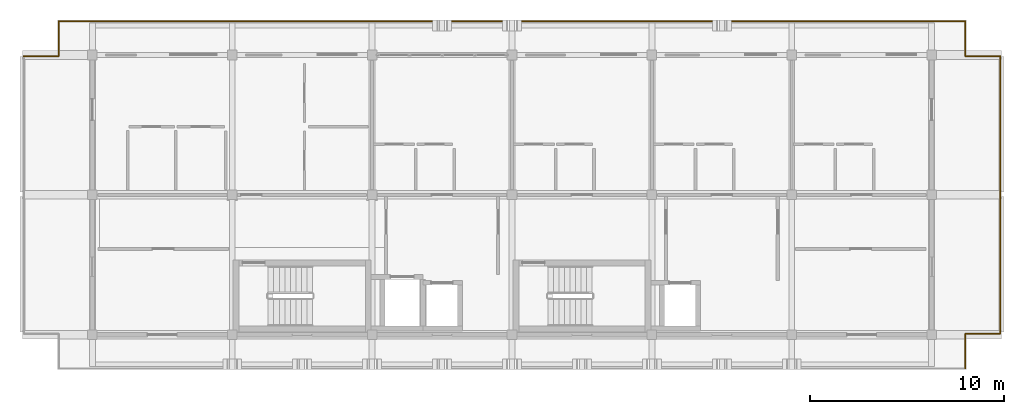
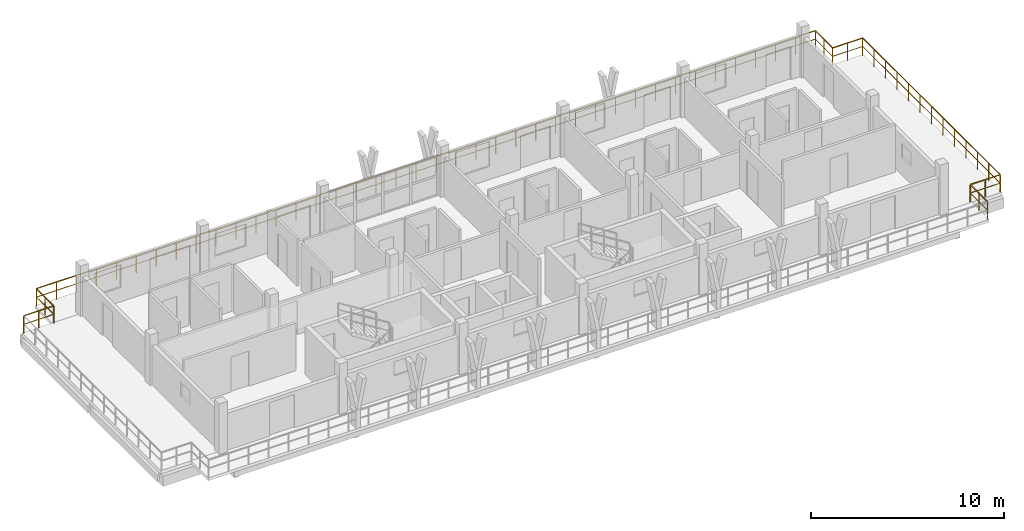
# One storey, part 9 of 9: 8 railings.
"""IFC4 building model written with IfcOpenShell, lengths in metres."""

from ifc_helpers import new_model, si_unit, direction, frame, origin, origin_2d, place, context, subcontext, project, spatial, rectangle, extrude, material, type_object, element, save


model = new_model("IFC4")

# Units and contexts
model_context = context("Model", 3, precision=1e-05, world=origin(), true_north=direction((0.0, 1.0)))
body_context = subcontext(model_context, "Body", "Model", "MODEL_VIEW")
ifc_project = project(units=[si_unit("LENGTHUNIT", "METRE"), si_unit("AREAUNIT", "SQUARE_METRE"), si_unit("VOLUMEUNIT", "CUBIC_METRE"), si_unit("PLANEANGLEUNIT", "RADIAN"), si_unit("MASSUNIT", "GRAM", prefix="KILO")], contexts=[model_context])

# Site, building, storey
site_placement = place(None, origin())
site = spatial("IfcSite", under=ifc_project, at=site_placement, CompositionType="ELEMENT")
building_placement = place(site_placement, origin())
building = spatial("IfcBuilding", under=site, at=building_placement, Name="Suanplinth Sawtooth Commons", CompositionType="ELEMENT")
storey_placement = place(building_placement, frame((0.0, 0.0, 47.699951171875)))
storey = spatial("IfcBuildingStorey", under=building, at=storey_placement, Name="L14", CompositionType="ELEMENT", Elevation=47.699951171875)

# Railings
ifc_material = material(Name="Powder-coated galvanized steel", Category="steel")
railing_type = type_object("IfcRailingType", Name="GR-01", PredefinedType="BALUSTRADE", material=ifc_material)
railing_1_placement = place(storey_placement, frame((32.4599609375, 122.340087890625, 0.0)))
element("IfcRailing", 1, at=railing_1_placement, inside=storey, type_object=railing_type, Name="L14 Block A Perimeter Balustrade 3", PredefinedType="BALUSTRADE", context=body_context, shape_type="SweptSolid", body=[
    extrude(rectangle(XDim=0.048095703125, YDim=0.048095703125, at=origin_2d()), frame((0.0, 0.0, 1.09619140625), z_axis=(1.0, 0.0, 0.0), x_axis=(0.0, 1.0, 0.0)), (0.0, 0.0, 1.0), 1.800048828125),
    extrude(rectangle(XDim=0.03369140625, YDim=0.03369140625, at=origin_2d()), frame((0.0, 0.0, 0.56005859375), z_axis=(1.0, 0.0, 0.0), x_axis=(0.0, 1.0, 0.0)), (0.0, 0.0, 1.0), 1.800048828125),
    extrude(rectangle(XDim=0.0419921875, YDim=0.0419921875, at=origin_2d()), origin(), (0.0, 0.0, 1.0), 1.072021484375),
    extrude(rectangle(XDim=0.0419921875, YDim=0.0419921875, at=origin_2d()), frame((0.89990234375, 0.0, 0.0)), (0.0, 0.0, 1.0), 1.072021484375),
    extrude(rectangle(XDim=0.0419921875, YDim=0.0419921875, at=origin_2d()), frame((1.800048828125, 0.0, 0.0)), (0.0, 0.0, 1.0), 1.072021484375),
])
railing_2_placement = place(storey_placement, frame((34.260009765625, 122.340087890625, 0.0)))
element("IfcRailing", 2, at=railing_2_placement, inside=storey, type_object=railing_type, Name="L14 Block A Perimeter Balustrade 4", PredefinedType="BALUSTRADE", context=body_context, shape_type="SweptSolid", body=[
    extrude(rectangle(XDim=0.048095703125, YDim=0.048095703125, at=origin_2d()), frame((0.0, 0.0, 1.09619140625), z_axis=(0.0, 1.0, 0.0), x_axis=(-1.0, 0.0, 0.0)), (0.0, 0.0, 1.0), 1.7998046875),
    extrude(rectangle(XDim=0.03369140625, YDim=0.03369140625, at=origin_2d()), frame((0.0, 0.0, 0.56005859375), z_axis=(0.0, 1.0, 0.0), x_axis=(-1.0, 0.0, 0.0)), (0.0, 0.0, 1.0), 1.7998046875),
    extrude(rectangle(XDim=0.0419921875, YDim=0.0419921875, at=origin_2d()), origin(), (0.0, 0.0, 1.0), 1.072021484375),
    extrude(rectangle(XDim=0.0419921875, YDim=0.0419921875, at=origin_2d()), frame((0.0, 0.89990234375, 0.0)), (0.0, 0.0, 1.0), 1.072021484375),
    extrude(rectangle(XDim=0.0419921875, YDim=0.0419921875, at=origin_2d()), frame((0.0, 1.7998046875, 0.0)), (0.0, 0.0, 1.0), 1.072021484375),
])
railing_3_placement = place(storey_placement, frame((34.260009765625, 124.139892578125, 0.0)))
element("IfcRailing", 3, at=railing_3_placement, inside=storey, type_object=railing_type, Name="L14 Block A Perimeter Balustrade 5", PredefinedType="BALUSTRADE", context=body_context, shape_type="SweptSolid", body=[
    extrude(rectangle(XDim=0.048095703125, YDim=0.048095703125, at=origin_2d()), frame((0.0, 0.0, 1.09619140625), z_axis=(1.0, 0.0, 0.0), x_axis=(0.0, 1.0, 0.0)), (0.0, 0.0, 1.0), 46.679931640625),
    extrude(rectangle(XDim=0.03369140625, YDim=0.03369140625, at=origin_2d()), frame((0.0, 0.0, 0.56005859375), z_axis=(1.0, 0.0, 0.0), x_axis=(0.0, 1.0, 0.0)), (0.0, 0.0, 1.0), 46.679931640625),
    extrude(rectangle(XDim=0.0419921875, YDim=0.0419921875, at=origin_2d()), origin(), (0.0, 0.0, 1.0), 1.072021484375),
    extrude(rectangle(XDim=0.0419921875, YDim=0.0419921875, at=origin_2d()), frame((1.197021484375, 0.0, 0.0)), (0.0, 0.0, 1.0), 1.072021484375),
    extrude(rectangle(XDim=0.0419921875, YDim=0.0419921875, at=origin_2d()), frame((2.393798828125, 0.0, 0.0)), (0.0, 0.0, 1.0), 1.072021484375),
    extrude(rectangle(XDim=0.0419921875, YDim=0.0419921875, at=origin_2d()), frame((3.5908203125, 0.0, 0.0)), (0.0, 0.0, 1.0), 1.072021484375),
    extrude(rectangle(XDim=0.0419921875, YDim=0.0419921875, at=origin_2d()), frame((4.78759765625, 0.0, 0.0)), (0.0, 0.0, 1.0), 1.072021484375),
    extrude(rectangle(XDim=0.0419921875, YDim=0.0419921875, at=origin_2d()), frame((5.984619140625, 0.0, 0.0)), (0.0, 0.0, 1.0), 1.072021484375),
    extrude(rectangle(XDim=0.0419921875, YDim=0.0419921875, at=origin_2d()), frame((7.181640625, 0.0, 0.0)), (0.0, 0.0, 1.0), 1.072021484375),
    extrude(rectangle(XDim=0.0419921875, YDim=0.0419921875, at=origin_2d()), frame((8.37841796875, 0.0, 0.0)), (0.0, 0.0, 1.0), 1.072021484375),
    extrude(rectangle(XDim=0.0419921875, YDim=0.0419921875, at=origin_2d()), frame((9.575439453125, 0.0, 0.0)), (0.0, 0.0, 1.0), 1.072021484375),
    extrude(rectangle(XDim=0.0419921875, YDim=0.0419921875, at=origin_2d()), frame((10.772216796875, 0.0, 0.0)), (0.0, 0.0, 1.0), 1.072021484375),
    extrude(rectangle(XDim=0.0419921875, YDim=0.0419921875, at=origin_2d()), frame((11.96923828125, 0.0, 0.0)), (0.0, 0.0, 1.0), 1.072021484375),
    extrude(rectangle(XDim=0.0419921875, YDim=0.0419921875, at=origin_2d()), frame((13.166015625, 0.0, 0.0)), (0.0, 0.0, 1.0), 1.072021484375),
    extrude(rectangle(XDim=0.0419921875, YDim=0.0419921875, at=origin_2d()), frame((14.363037109375, 0.0, 0.0)), (0.0, 0.0, 1.0), 1.072021484375),
    extrude(rectangle(XDim=0.0419921875, YDim=0.0419921875, at=origin_2d()), frame((15.56005859375, 0.0, 0.0)), (0.0, 0.0, 1.0), 1.072021484375),
    extrude(rectangle(XDim=0.0419921875, YDim=0.0419921875, at=origin_2d()), frame((16.7568359375, 0.0, 0.0)), (0.0, 0.0, 1.0), 1.072021484375),
    extrude(rectangle(XDim=0.0419921875, YDim=0.0419921875, at=origin_2d()), frame((17.953857421875, 0.0, 0.0)), (0.0, 0.0, 1.0), 1.072021484375),
    extrude(rectangle(XDim=0.0419921875, YDim=0.0419921875, at=origin_2d()), frame((19.150634765625, 0.0, 0.0)), (0.0, 0.0, 1.0), 1.072021484375),
    extrude(rectangle(XDim=0.0419921875, YDim=0.0419921875, at=origin_2d()), frame((20.34765625, 0.0, 0.0)), (0.0, 0.0, 1.0), 1.072021484375),
    extrude(rectangle(XDim=0.0419921875, YDim=0.0419921875, at=origin_2d()), frame((21.544677734375, 0.0, 0.0)), (0.0, 0.0, 1.0), 1.072021484375),
    extrude(rectangle(XDim=0.0419921875, YDim=0.0419921875, at=origin_2d()), frame((22.741455078125, 0.0, 0.0)), (0.0, 0.0, 1.0), 1.072021484375),
    extrude(rectangle(XDim=0.0419921875, YDim=0.0419921875, at=origin_2d()), frame((23.9384765625, 0.0, 0.0)), (0.0, 0.0, 1.0), 1.072021484375),
    extrude(rectangle(XDim=0.0419921875, YDim=0.0419921875, at=origin_2d()), frame((25.13525390625, 0.0, 0.0)), (0.0, 0.0, 1.0), 1.072021484375),
    extrude(rectangle(XDim=0.0419921875, YDim=0.0419921875, at=origin_2d()), frame((26.332275390625, 0.0, 0.0)), (0.0, 0.0, 1.0), 1.072021484375),
    extrude(rectangle(XDim=0.0419921875, YDim=0.0419921875, at=origin_2d()), frame((27.529296875, 0.0, 0.0)), (0.0, 0.0, 1.0), 1.072021484375),
    extrude(rectangle(XDim=0.0419921875, YDim=0.0419921875, at=origin_2d()), frame((28.72607421875, 0.0, 0.0)), (0.0, 0.0, 1.0), 1.072021484375),
    extrude(rectangle(XDim=0.0419921875, YDim=0.0419921875, at=origin_2d()), frame((29.923095703125, 0.0, 0.0)), (0.0, 0.0, 1.0), 1.072021484375),
    extrude(rectangle(XDim=0.0419921875, YDim=0.0419921875, at=origin_2d()), frame((31.119873046875, 0.0, 0.0)), (0.0, 0.0, 1.0), 1.072021484375),
    extrude(rectangle(XDim=0.0419921875, YDim=0.0419921875, at=origin_2d()), frame((32.31689453125, 0.0, 0.0)), (0.0, 0.0, 1.0), 1.072021484375),
    extrude(rectangle(XDim=0.0419921875, YDim=0.0419921875, at=origin_2d()), frame((33.513916015625, 0.0, 0.0)), (0.0, 0.0, 1.0), 1.072021484375),
    extrude(rectangle(XDim=0.0419921875, YDim=0.0419921875, at=origin_2d()), frame((34.710693359375, 0.0, 0.0)), (0.0, 0.0, 1.0), 1.072021484375),
    extrude(rectangle(XDim=0.0419921875, YDim=0.0419921875, at=origin_2d()), frame((35.90771484375, 0.0, 0.0)), (0.0, 0.0, 1.0), 1.072021484375),
    extrude(rectangle(XDim=0.0419921875, YDim=0.0419921875, at=origin_2d()), frame((37.1044921875, 0.0, 0.0)), (0.0, 0.0, 1.0), 1.072021484375),
    extrude(rectangle(XDim=0.0419921875, YDim=0.0419921875, at=origin_2d()), frame((38.301513671875, 0.0, 0.0)), (0.0, 0.0, 1.0), 1.072021484375),
    extrude(rectangle(XDim=0.0419921875, YDim=0.0419921875, at=origin_2d()), frame((39.498291015625, 0.0, 0.0)), (0.0, 0.0, 1.0), 1.072021484375),
    extrude(rectangle(XDim=0.0419921875, YDim=0.0419921875, at=origin_2d()), frame((40.6953125, 0.0, 0.0)), (0.0, 0.0, 1.0), 1.072021484375),
    extrude(rectangle(XDim=0.0419921875, YDim=0.0419921875, at=origin_2d()), frame((41.892333984375, 0.0, 0.0)), (0.0, 0.0, 1.0), 1.072021484375),
    extrude(rectangle(XDim=0.0419921875, YDim=0.0419921875, at=origin_2d()), frame((43.089111328125, 0.0, 0.0)), (0.0, 0.0, 1.0), 1.072021484375),
    extrude(rectangle(XDim=0.0419921875, YDim=0.0419921875, at=origin_2d()), frame((44.2861328125, 0.0, 0.0)), (0.0, 0.0, 1.0), 1.072021484375),
    extrude(rectangle(XDim=0.0419921875, YDim=0.0419921875, at=origin_2d()), frame((45.48291015625, 0.0, 0.0)), (0.0, 0.0, 1.0), 1.072021484375),
    extrude(rectangle(XDim=0.0419921875, YDim=0.0419921875, at=origin_2d()), frame((46.679931640625, 0.0, 0.0)), (0.0, 0.0, 1.0), 1.072021484375),
])
railing_4_placement = place(storey_placement, frame((80.93994140625, 124.139892578125, 0.0)))
element("IfcRailing", 4, at=railing_4_placement, inside=storey, type_object=railing_type, Name="L14 Block A Perimeter Balustrade 6", PredefinedType="BALUSTRADE", context=body_context, shape_type="SweptSolid", body=[
    extrude(rectangle(XDim=0.048095703125, YDim=0.048095703125, at=origin_2d()), frame((0.0, 0.0, 1.09619140625), z_axis=(0.0, -1.0, 0.0), x_axis=(1.0, 0.0, 0.0)), (0.0, 0.0, 1.0), 1.7998046875),
    extrude(rectangle(XDim=0.03369140625, YDim=0.03369140625, at=origin_2d()), frame((0.0, 0.0, 0.56005859375), z_axis=(0.0, -1.0, 0.0), x_axis=(1.0, 0.0, 0.0)), (0.0, 0.0, 1.0), 1.7998046875),
    extrude(rectangle(XDim=0.0419921875, YDim=0.0419921875, at=origin_2d()), origin(), (0.0, 0.0, 1.0), 1.072021484375),
    extrude(rectangle(XDim=0.0419921875, YDim=0.0419921875, at=origin_2d()), frame((0.0, -0.89990234375, 0.0)), (0.0, 0.0, 1.0), 1.072021484375),
    extrude(rectangle(XDim=0.0419921875, YDim=0.0419921875, at=origin_2d()), frame((0.0, -1.7998046875, 0.0)), (0.0, 0.0, 1.0), 1.072021484375),
])
railing_5_placement = place(storey_placement, frame((80.93994140625, 122.340087890625, 0.0)))
element("IfcRailing", 5, at=railing_5_placement, inside=storey, type_object=railing_type, Name="L14 Block A Perimeter Balustrade 7", PredefinedType="BALUSTRADE", context=body_context, shape_type="SweptSolid", body=[
    extrude(rectangle(XDim=0.048095703125, YDim=0.048095703125, at=origin_2d()), frame((0.0, 0.0, 1.09619140625), z_axis=(1.0, 0.0, 0.0), x_axis=(0.0, 1.0, 0.0)), (0.0, 0.0, 1.0), 1.800048828125),
    extrude(rectangle(XDim=0.03369140625, YDim=0.03369140625, at=origin_2d()), frame((0.0, 0.0, 0.56005859375), z_axis=(1.0, 0.0, 0.0), x_axis=(0.0, 1.0, 0.0)), (0.0, 0.0, 1.0), 1.800048828125),
    extrude(rectangle(XDim=0.0419921875, YDim=0.0419921875, at=origin_2d()), origin(), (0.0, 0.0, 1.0), 1.072021484375),
    extrude(rectangle(XDim=0.0419921875, YDim=0.0419921875, at=origin_2d()), frame((0.89990234375, 0.0, 0.0)), (0.0, 0.0, 1.0), 1.072021484375),
    extrude(rectangle(XDim=0.0419921875, YDim=0.0419921875, at=origin_2d()), frame((1.800048828125, 0.0, 0.0)), (0.0, 0.0, 1.0), 1.072021484375),
])
railing_6_placement = place(storey_placement, frame((82.739990234375, 122.340087890625, 0.0)))
element("IfcRailing", 6, at=railing_6_placement, inside=storey, type_object=railing_type, Name="L14 Block A Perimeter Balustrade 8", PredefinedType="BALUSTRADE", context=body_context, shape_type="SweptSolid", body=[
    extrude(rectangle(XDim=0.048095703125, YDim=0.048095703125, at=origin_2d()), frame((0.0, 0.0, 1.09619140625), z_axis=(0.0, -1.0, 0.0), x_axis=(1.0, 0.0, 0.0)), (0.0, 0.0, 1.0), 14.280029296875),
    extrude(rectangle(XDim=0.03369140625, YDim=0.03369140625, at=origin_2d()), frame((0.0, 0.0, 0.56005859375), z_axis=(0.0, -1.0, 0.0), x_axis=(1.0, 0.0, 0.0)), (0.0, 0.0, 1.0), 14.280029296875),
    extrude(rectangle(XDim=0.0419921875, YDim=0.0419921875, at=origin_2d()), origin(), (0.0, 0.0, 1.0), 1.072021484375),
    extrude(rectangle(XDim=0.0419921875, YDim=0.0419921875, at=origin_2d()), frame((0.0, -1.18994140625, 0.0)), (0.0, 0.0, 1.0), 1.072021484375),
    extrude(rectangle(XDim=0.0419921875, YDim=0.0419921875, at=origin_2d()), frame((0.0, -2.3798828125, 0.0)), (0.0, 0.0, 1.0), 1.072021484375),
    extrude(rectangle(XDim=0.0419921875, YDim=0.0419921875, at=origin_2d()), frame((0.0, -3.570068359375, 0.0)), (0.0, 0.0, 1.0), 1.072021484375),
    extrude(rectangle(XDim=0.0419921875, YDim=0.0419921875, at=origin_2d()), frame((0.0, -4.760009765625, 0.0)), (0.0, 0.0, 1.0), 1.072021484375),
    extrude(rectangle(XDim=0.0419921875, YDim=0.0419921875, at=origin_2d()), frame((0.0, -5.949951171875, 0.0)), (0.0, 0.0, 1.0), 1.072021484375),
    extrude(rectangle(XDim=0.0419921875, YDim=0.0419921875, at=origin_2d()), frame((0.0, -7.14013671875, 0.0)), (0.0, 0.0, 1.0), 1.072021484375),
    extrude(rectangle(XDim=0.0419921875, YDim=0.0419921875, at=origin_2d()), frame((0.0, -8.330078125, 0.0)), (0.0, 0.0, 1.0), 1.072021484375),
    extrude(rectangle(XDim=0.0419921875, YDim=0.0419921875, at=origin_2d()), frame((0.0, -9.52001953125, 0.0)), (0.0, 0.0, 1.0), 1.072021484375),
    extrude(rectangle(XDim=0.0419921875, YDim=0.0419921875, at=origin_2d()), frame((0.0, -10.7099609375, 0.0)), (0.0, 0.0, 1.0), 1.072021484375),
    extrude(rectangle(XDim=0.0419921875, YDim=0.0419921875, at=origin_2d()), frame((0.0, -11.89990234375, 0.0)), (0.0, 0.0, 1.0), 1.072021484375),
    extrude(rectangle(XDim=0.0419921875, YDim=0.0419921875, at=origin_2d()), frame((0.0, -13.090087890625, 0.0)), (0.0, 0.0, 1.0), 1.072021484375),
    extrude(rectangle(XDim=0.0419921875, YDim=0.0419921875, at=origin_2d()), frame((0.0, -14.280029296875, 0.0)), (0.0, 0.0, 1.0), 1.072021484375),
])
railing_7_placement = place(storey_placement, frame((82.739990234375, 108.06005859375, 0.0)))
element("IfcRailing", 7, at=railing_7_placement, inside=storey, type_object=railing_type, Name="L14 Block A Perimeter Balustrade 9", PredefinedType="BALUSTRADE", context=body_context, shape_type="SweptSolid", body=[
    extrude(rectangle(XDim=0.048095703125, YDim=0.048095703125, at=origin_2d()), frame((0.0, 0.0, 1.09619140625), z_axis=(-1.0, 0.0, 0.0), x_axis=(0.0, -1.0, 0.0)), (0.0, 0.0, 1.0), 1.800048828125),
    extrude(rectangle(XDim=0.03369140625, YDim=0.03369140625, at=origin_2d()), frame((0.0, 0.0, 0.56005859375), z_axis=(-1.0, 0.0, 0.0), x_axis=(0.0, -1.0, 0.0)), (0.0, 0.0, 1.0), 1.800048828125),
    extrude(rectangle(XDim=0.0419921875, YDim=0.0419921875, at=origin_2d()), origin(), (0.0, 0.0, 1.0), 1.072021484375),
    extrude(rectangle(XDim=0.0419921875, YDim=0.0419921875, at=origin_2d()), frame((-0.89990234375, 0.0, 0.0)), (0.0, 0.0, 1.0), 1.072021484375),
    extrude(rectangle(XDim=0.0419921875, YDim=0.0419921875, at=origin_2d()), frame((-1.800048828125, 0.0, 0.0)), (0.0, 0.0, 1.0), 1.072021484375),
])
railing_8_placement = place(storey_placement, frame((80.93994140625, 108.06005859375, 0.0)))
element("IfcRailing", 8, at=railing_8_placement, inside=storey, type_object=railing_type, Name="L14 Block A Perimeter Balustrade 10", PredefinedType="BALUSTRADE", context=body_context, shape_type="SweptSolid", body=[
    extrude(rectangle(XDim=0.048095703125, YDim=0.048095703125, at=origin_2d()), frame((0.0, 0.0, 1.09619140625), z_axis=(0.0, -1.0, 0.0), x_axis=(1.0, 0.0, 0.0)), (0.0, 0.0, 1.0), 1.800048828125),
    extrude(rectangle(XDim=0.03369140625, YDim=0.03369140625, at=origin_2d()), frame((0.0, 0.0, 0.56005859375), z_axis=(0.0, -1.0, 0.0), x_axis=(1.0, 0.0, 0.0)), (0.0, 0.0, 1.0), 1.800048828125),
    extrude(rectangle(XDim=0.0419921875, YDim=0.0419921875, at=origin_2d()), origin(), (0.0, 0.0, 1.0), 1.072021484375),
    extrude(rectangle(XDim=0.0419921875, YDim=0.0419921875, at=origin_2d()), frame((0.0, -0.89990234375, 0.0)), (0.0, 0.0, 1.0), 1.072021484375),
    extrude(rectangle(XDim=0.0419921875, YDim=0.0419921875, at=origin_2d()), frame((0.0, -1.800048828125, 0.0)), (0.0, 0.0, 1.0), 1.072021484375),
])

save(model, "model.ifc")
